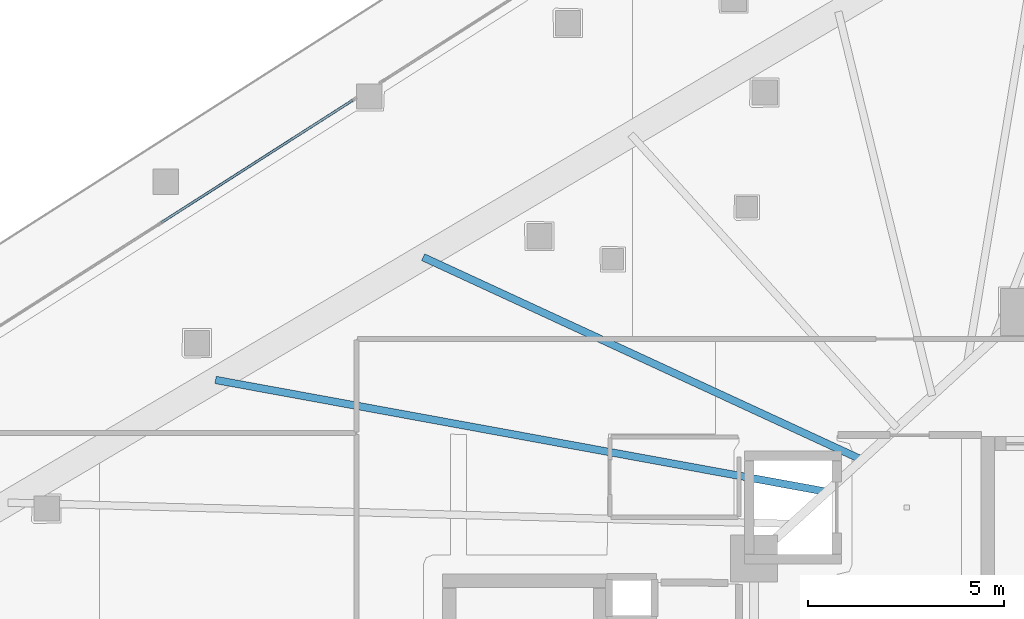
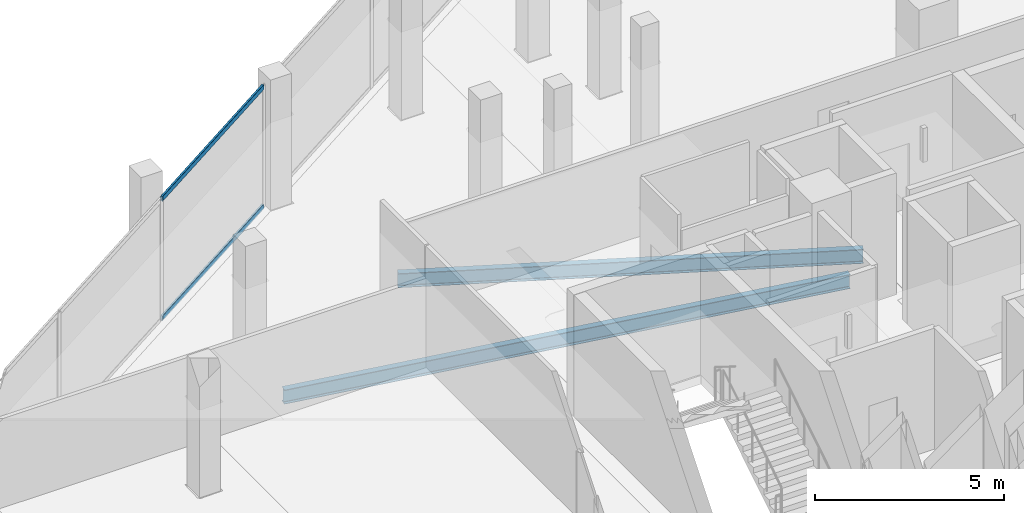
# One storey, part 15 of 44: 2 beams, 2 members, 1 element without a shape of its own.
"""IFC4 building model written with IfcOpenShell, lengths in metres."""

from ifc_helpers import new_model, si_unit, direction, frame, origin, origin_2d, place, context, subcontext, project, spatial, hollow_rectangle, i_section, extrude, material, layer, layer_set, material_profile, profile_set, type_object, element, aggregate, save


model = new_model("IFC4")

# Units and contexts
model_context = context("Model", 3, precision=1e-05, world=origin(), true_north=direction((0.0, 1.0)))
body_context = subcontext(model_context, "Body", "Model", "MODEL_VIEW")
ifc_project = project(units=[si_unit("LENGTHUNIT", "METRE"), si_unit("AREAUNIT", "SQUARE_METRE"), si_unit("VOLUMEUNIT", "CUBIC_METRE"), si_unit("PLANEANGLEUNIT", "RADIAN"), si_unit("MASSUNIT", "GRAM", prefix="KILO")], contexts=[model_context])

# Site, building, storey
site_placement = place(None, origin())
site = spatial("IfcSite", under=ifc_project, at=site_placement, CompositionType="ELEMENT")
building_placement = place(site_placement, origin())
building = spatial("IfcBuilding", under=site, at=building_placement, Name="Qorvath Tower", CompositionType="ELEMENT")
storey_placement = place(building_placement, frame((0.0, 0.0, 40.800048828125)))
storey = spatial("IfcBuildingStorey", under=building, at=storey_placement, Name="L08", CompositionType="ELEMENT", Elevation=40.800048828125)

# Beams
ifc_material_1 = material(Name="Steel ASTM A992 Grade 50", Category="steel")
ifc_material_profile_1 = material_profile(ifc_material_1, i_section(OverallWidth=0.18994140625, OverallDepth=0.45703125, WebThickness=0.009033203125, FlangeThickness=0.014404296875, FilletRadius=0.011962890625, at=origin_2d()), Name="W18x50")
ifc_profile_set_1 = profile_set([ifc_material_profile_1], Name="Steel ASTM A992 Grade 50")
beam_type = type_object("IfcBeamType", Name="BM-FJ2", PredefinedType="JOIST", material=ifc_profile_set_1)
beam_1_placement = place(storey_placement, frame((-28.636962890625, 6.85107421875, -0.508544921875), z_axis=(-0.983656498786, 0.180055248176, 0.0), x_axis=(-0.180055248176, -0.983656498786, 0.0)))
element("IfcBeam", 1, at=beam_1_placement, inside=storey, type_object=beam_type, Name="Composite Floor Joist NW2 L08", PredefinedType="JOIST", context=body_context, shape_type="SweptSolid", body=[
    extrude(i_section(OverallWidth=0.18994140625, OverallDepth=0.45703125, WebThickness=0.009033203125, FlangeThickness=0.014404296875, FilletRadius=0.011962890625, at=origin_2d()), origin(), (0.0, 0.0, 1.0), 15.884521484375),
])
beam_2_placement = place(storey_placement, frame((-27.739990234375, 7.669921875, -0.508544921875), z_axis=(-0.907881281747, 0.419227358665, 0.0), x_axis=(-0.419227358665, -0.907881281747, 0.0)))
element("IfcBeam", 2, at=beam_2_placement, inside=storey, type_object=beam_type, Name="Composite Floor Joist NW3 L08", PredefinedType="JOIST", context=body_context, shape_type="SweptSolid", body=[
    extrude(i_section(OverallWidth=0.18994140625, OverallDepth=0.45703125, WebThickness=0.009033203125, FlangeThickness=0.014404296875, FilletRadius=0.011962890625, at=origin_2d()), origin(), (0.0, 0.0, 1.0), 12.353515625),
])

# Curtain wall, members
ifc_material_2 = material(Name="Anodised aluminium and triple low-E glass", Category="aluminium")
ifc_layer = layer(ifc_material_2, 0.179931640625)
ifc_layer_set = layer_set([ifc_layer], Name="CW-SYS-2")
curtain_wall_type = type_object("IfcCurtainWallType", Name="CW-SYS-2", PredefinedType="NOTDEFINED", material=ifc_layer_set)
curtain_wall_placement = place(storey_placement, origin())
curtain_wall = element("IfcCurtainWall", 3, at=curtain_wall_placement, inside=storey, type_object=curtain_wall_type, Name="Curtain Wall CW-2 CW-T-L08-16.3", PredefinedType="NOTDEFINED")
ifc_material_3 = material(Name="Anodised aluminium 6063-T6", Category="aluminium")
ifc_material_profile_2 = material_profile(ifc_material_3, hollow_rectangle(XDim=0.06494140625, YDim=0.159912109375, WallThickness=0.00341796875, InnerFilletRadius=0.00341796875, OuterFilletRadius=0.007080078125, at=origin_2d()), Name="CWT 160x65")
ifc_profile_set_2 = profile_set([ifc_material_profile_2], Name="Anodised aluminium 6063-T6")
member_type = type_object("IfcMemberType", Name="CWT-160", PredefinedType="USERDEFINED", material=ifc_profile_set_2)
member_1_placement = place(storey_placement, frame((-40.757080078125, 16.85888671875, 0.032470703125), z_axis=(-0.842607225398, -0.538528609925, 0.0), x_axis=(0.538528609925, -0.842607225398, 0.0)))
member_1 = element("IfcMember", 4, at=member_1_placement, type_object=member_type, Name="CW-2 transom 1.1", ObjectType="TRANSOM", PredefinedType="USERDEFINED", context=body_context, shape_type="SweptSolid", body=[
    extrude(hollow_rectangle(XDim=0.06494140625, YDim=0.159912109375, WallThickness=0.00341796875, InnerFilletRadius=0.00341796875, OuterFilletRadius=0.007080078125, at=origin_2d()), origin(), (0.0, 0.0, 1.0), 5.806396484375),
])
member_2_placement = place(storey_placement, frame((-40.757080078125, 16.85888671875, 3.887451171875), z_axis=(-0.842607225398, -0.538528609925, 0.0), x_axis=(0.538528609925, -0.842607225398, 0.0)))
member_2 = element("IfcMember", 5, at=member_2_placement, type_object=member_type, Name="CW-2 transom 1.2", ObjectType="TRANSOM", PredefinedType="USERDEFINED", context=body_context, shape_type="SweptSolid", body=[
    extrude(hollow_rectangle(XDim=0.06494140625, YDim=0.159912109375, WallThickness=0.00341796875, InnerFilletRadius=0.00341796875, OuterFilletRadius=0.007080078125, at=origin_2d()), origin(), (0.0, 0.0, 1.0), 5.806396484375),
])
aggregate(curtain_wall, [member_1, member_2])

save(model, "model.ifc")
